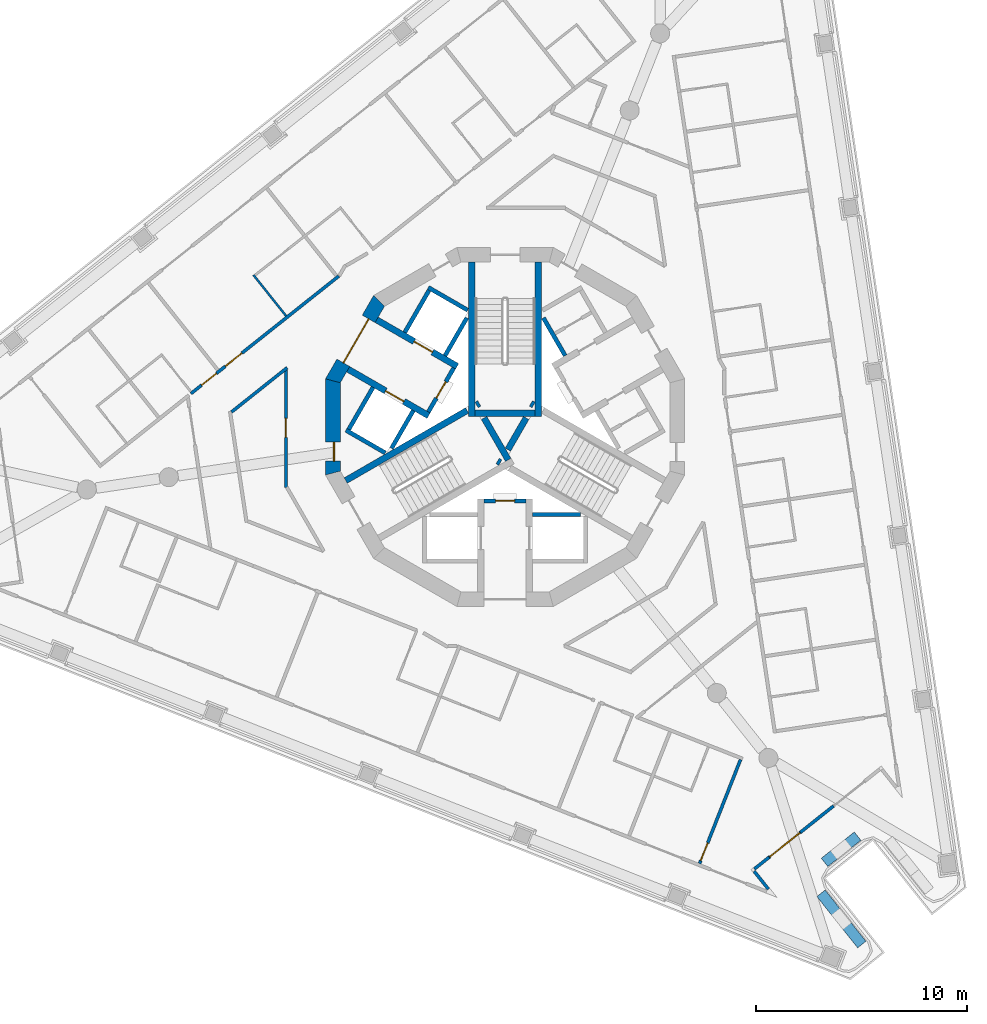
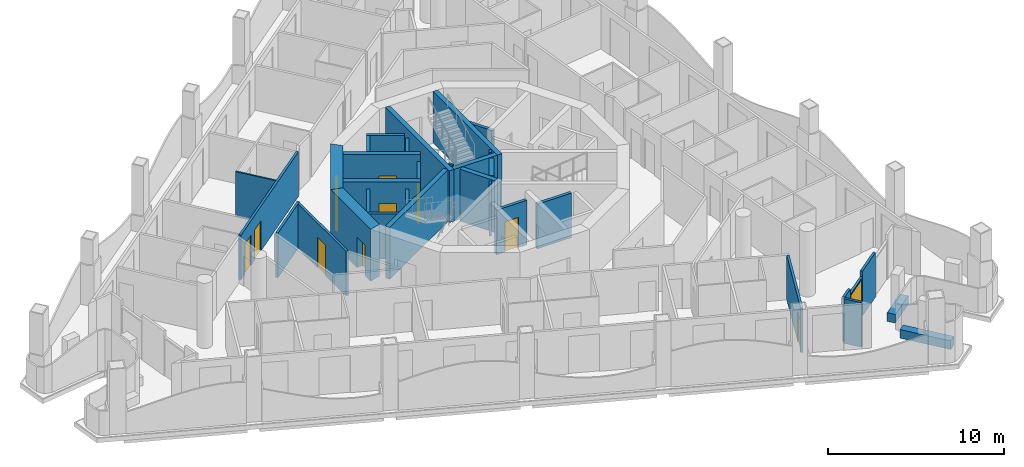
# One storey, part 4 of 16: 34 walls, 11 doors, 11 openings.
"""IFC4 building model written with IfcOpenShell, lengths in metres."""

from ifc_helpers import new_model, si_unit, direction, frame, frame_2d, origin, place, context, subcontext, project, spatial, polyline, rectangle, outline, extrude, material, layer, layer_set, type_object, element, fill, save


model = new_model("IFC4")

# Units and contexts
model_context = context("Model", 3, precision=1e-05, world=origin(), true_north=direction((0.0, 1.0)))
body_context = subcontext(model_context, "Body", "Model", "MODEL_VIEW")
ifc_project = project(units=[si_unit("LENGTHUNIT", "METRE"), si_unit("AREAUNIT", "SQUARE_METRE"), si_unit("VOLUMEUNIT", "CUBIC_METRE"), si_unit("PLANEANGLEUNIT", "RADIAN"), si_unit("MASSUNIT", "GRAM", prefix="KILO")], contexts=[model_context])

# Site, building, storey
site_placement = place(None, origin())
site = spatial("IfcSite", under=ifc_project, at=site_placement, CompositionType="ELEMENT")
building_placement = place(site_placement, origin())
building = spatial("IfcBuilding", under=site, at=building_placement, Name="Trine Commons Tower", CompositionType="ELEMENT")
storey_placement = place(building_placement, frame((0.0, 0.0, 226.800048828125)))
storey = spatial("IfcBuildingStorey", under=building, at=storey_placement, Name="L59", CompositionType="ELEMENT", Elevation=226.800048828125)

# Wall
ifc_material_1 = material(Name="Aluminium-framed insulated wall panel", Category="aluminium")
ifc_layer_1 = layer(ifc_material_1, 0.14990234375)
ifc_layer_set_1 = layer_set([ifc_layer_1], Name="Aluminium-framed insulated wall panel")
wall_type_1 = type_object("IfcWallType", Name="Glazed frame wall 150, EI 60", PredefinedType="SOLIDWALL", material=ifc_layer_set_1)
wall_1_placement = place(storey_placement, frame((95.546142578125, 44.562255859375, 0.0), z_axis=(0.0, 0.0, 1.0), x_axis=(-0.782580779818, -0.622549052733, 0.0)))
element("IfcWall", 1, at=wall_1_placement, inside=storey, type_object=wall_type_1, Name="Glazed frame wall P2.3", PredefinedType="SOLIDWALL", context=body_context, shape_type="SweptSolid", body=[
    extrude(outline(polyline([(0.0, -0.074951171875), (2.0, -0.074951171875), (2.0, 0.074951171875), (0.0, 0.074951171875), (0.0, -0.074951171875)])), origin(), (0.0, 0.0, 1.0), 3.099853515625),
])

# Wall, opening, door
wall_2_placement = place(storey_placement, frame((93.98095703125, 43.317138671875, 0.0), z_axis=(0.0, 0.0, 1.0), x_axis=(-0.782670764896, -0.622435919415, 0.0)))
wall_2 = element("IfcWall", 2, at=wall_2_placement, inside=storey, type_object=wall_type_1, Name="Glazed frame wall P2.4", PredefinedType="SOLIDWALL", context=body_context, shape_type="SweptSolid", body=[
    extrude(outline(polyline([(0.0, -0.074951171875), (1.89990234375, -0.074951171875), (1.89990234375, 0.074951171875), (0.0, 0.074951171875), (0.0, -0.074951171875)])), origin(), (0.0, 0.0, 1.0), 2.699951171875),
])
opening_1_placement = place(wall_2_placement, frame((0.050048828125, 0.0, 0.0)))
opening_1 = element("IfcOpeningElement", 3, at=opening_1_placement, cuts=wall_2, Name="Opening BD-6P2-02", PredefinedType="OPENING", context=body_context, shape_type="SweptSolid", body=[
    extrude(rectangle(XDim=1.800048828125, YDim=2.60009765625, at=frame_2d((0.89990234375, 1.300048828125))), frame((0.0, 0.0849609375, 0.0), z_axis=(0.0, -1.0, 0.0), x_axis=(1.0, 0.0, 0.0)), (0.0, 0.0, 1.0), 0.169921875),
])
ifc_material_2 = material(Name="Anodised aluminium frame with double glazing", Category="aluminium")
door_type_1 = type_object("IfcDoorType", Name="Sliding loggia door 1800x2600", OperationType="SLIDING_TO_LEFT", PredefinedType="DOOR", material=ifc_material_2)
door_1_placement = place(opening_1_placement, origin())
door_1 = element("IfcDoor", 4, at=door_1_placement, inside=storey, type_object=door_type_1, Name="Loggia door P2 2", OperationType="SLIDING_TO_LEFT", OverallHeight=2.60009765625, OverallWidth=1.800048828125, PredefinedType="DOOR", context=body_context, shape_type="SweptSolid", body=[
    extrude(rectangle(XDim=1.800048828125, YDim=2.60009765625, at=frame_2d((0.89990234375, 1.300048828125))), frame((0.0, 0.02490234375, 0.0), z_axis=(0.0, -1.0, 0.0), x_axis=(1.0, 0.0, 0.0)), (0.0, 0.0, 1.0), 0.050048828125),
])
fill(opening_1, door_1)

# Walls
wall_3_placement = place(storey_placement, frame((92.493896484375, 42.134521484375, 0.0), z_axis=(0.0, 0.0, 1.0), x_axis=(-0.782628082779, -0.622489585492, 0.0)))
element("IfcWall", 5, at=wall_3_placement, inside=storey, type_object=wall_type_1, Name="Glazed frame wall P2.5", PredefinedType="SOLIDWALL", context=body_context, shape_type="SweptSolid", body=[
    extrude(outline(polyline([(0.889892578125, 0.074951171875), (0.0, 0.074951171875), (0.0, -0.074951171875), (0.889892578125, -0.074951171875), (0.889892578125, 0.074951171875)])), origin(), (0.0, 0.0, 1.0), 3.099853515625),
])
wall_4_placement = place(storey_placement, frame((91.716796875, 41.56103515625, 0.0), z_axis=(0.0, 0.0, 1.0), x_axis=(0.622611995912, -0.7825307039, 0.0)))
element("IfcWall", 6, at=wall_4_placement, inside=storey, type_object=wall_type_1, Name="Glazed frame wall R8", PredefinedType="SOLIDWALL", context=body_context, shape_type="SweptSolid", body=[
    extrude(outline(polyline([(0.110107421875, 0.074951171875), (0.110107421875, -0.074951171875), (1.19580078125, -0.074951171875), (1.19580078125, 0.074951171875), (0.110107421875, 0.074951171875)])), origin(), (0.0, 0.0, 1.0), 3.099853515625),
])

# Wall, opening, door
ifc_material_3 = material(Name="Fire-rated gypsum shaft wall system")
ifc_layer_2 = layer(ifc_material_3, 0.199951171875)
ifc_layer_set_2 = layer_set([ifc_layer_2], Name="Fire-rated gypsum shaft wall system")
wall_type_2 = type_object("IfcWallType", Name="Lobby end wall 200 mm, EI 120", PredefinedType="PARTITIONING", material=ifc_layer_set_2)
wall_5_placement = place(storey_placement, frame((77.569091796875, 65.2890625, 0.0), z_axis=(0.0, 0.0, 1.0), x_axis=(-0.50012165622, -0.865955154139, 0.0)))
wall_5 = element("IfcWall", 7, at=wall_5_placement, inside=storey, type_object=wall_type_2, Name="Lobby end wall L59", PredefinedType="PARTITIONING", context=body_context, shape_type="SweptSolid", body=[
    extrude(rectangle(XDim=2.39990234375, YDim=0.199951171875, at=frame_2d((1.199951171875, 0.0))), origin(), (0.0, 0.0, 1.0), 3.099853515625),
])
opening_2_placement = place(wall_5_placement, frame((0.749755859375, 0.0, 0.0)))
opening_2 = element("IfcOpeningElement", 8, at=opening_2_placement, cuts=wall_5, Name="Opening K15.07", PredefinedType="OPENING", context=body_context, shape_type="SweptSolid", body=[
    extrude(rectangle(XDim=0.89990234375, YDim=2.10009765625, at=frame_2d((0.449951171875, 1.050048828125))), frame((0.0, 0.10986328125, 0.0), z_axis=(0.0, -1.0, 0.0), x_axis=(1.0, 0.0, 0.0)), (0.0, 0.0, 1.0), 0.219970703125),
])
ifc_material_4 = material(Name="Steel door leaf, fire-rated", Category="steel")
door_type_2 = type_object("IfcDoorType", Name="Riser access door, single leaf 900 x 2100, FD60", OperationType="SINGLE_SWING_LEFT", PredefinedType="DOOR", material=ifc_material_4)
door_2_placement = place(opening_2_placement, frame((0.89990234375, 0.0, 0.0), z_axis=(0.0, 0.0, 1.0), x_axis=(-1.0, 0.0, 0.0)))
door_2 = element("IfcDoor", 9, at=door_2_placement, inside=storey, type_object=door_type_2, Name="Riser door, Mechanical riser L59", OperationType="SINGLE_SWING_RIGHT", OverallHeight=2.10009765625, OverallWidth=0.89990234375, PredefinedType="DOOR", context=body_context, shape_type="SweptSolid", body=[
    extrude(rectangle(XDim=0.89990234375, YDim=2.10009765625, at=frame_2d((0.449951171875, 1.050048828125))), frame((0.0, 0.02490234375, 0.0), z_axis=(0.0, -1.0, 0.0), x_axis=(1.0, 0.0, 0.0)), (0.0, 0.0, 1.0), 0.050048828125),
])
fill(opening_2, door_2)

wall_6_placement = place(storey_placement, frame((79.0, 59.0, 0.0), z_axis=(0.0, 0.0, 1.0), x_axis=(1.0, 0.0, 0.0)))
wall_6 = element("IfcWall", 10, at=wall_6_placement, inside=storey, type_object=wall_type_2, Name="Lobby end wall L59", PredefinedType="PARTITIONING", context=body_context, shape_type="SweptSolid", body=[
    extrude(rectangle(XDim=2.0, YDim=0.199951171875, at=frame_2d((1.0, 0.0))), origin(), (0.0, 0.0, 1.0), 3.099853515625),
])
opening_3_placement = place(wall_6_placement, frame((0.550048828125, 0.0, 0.0)))
opening_3 = element("IfcOpeningElement", 11, at=opening_3_placement, cuts=wall_6, Name="Opening K15.09", PredefinedType="OPENING", context=body_context, shape_type="SweptSolid", body=[
    extrude(rectangle(XDim=0.89990234375, YDim=2.10009765625, at=frame_2d((0.449951171875, 1.050048828125))), frame((0.0, 0.10986328125, 0.0), z_axis=(0.0, -1.0, 0.0), x_axis=(1.0, 0.0, 0.0)), (0.0, 0.0, 1.0), 0.219970703125),
])
door_3_placement = place(opening_3_placement, frame((0.89990234375, 0.0, 0.0), z_axis=(0.0, 0.0, 1.0), x_axis=(-1.0, 0.0, 0.0)))
door_3 = element("IfcDoor", 12, at=door_3_placement, inside=storey, type_object=door_type_2, Name="Riser door, Communications riser L59", OperationType="SINGLE_SWING_RIGHT", OverallHeight=2.10009765625, OverallWidth=0.89990234375, PredefinedType="DOOR", context=body_context, shape_type="SweptSolid", body=[
    extrude(rectangle(XDim=0.89990234375, YDim=2.10009765625, at=frame_2d((0.449951171875, 1.050048828125))), frame((0.0, 0.02490234375, 0.0), z_axis=(0.0, -1.0, 0.0), x_axis=(1.0, 0.0, 0.0)), (0.0, 0.0, 1.0), 0.050048828125),
])
fill(opening_3, door_3)

# Walls
ifc_material_5 = material(Name="Planter trough, precast concrete C40/50", Category="concrete")
ifc_layer_3 = layer(ifc_material_5, 0.5)
ifc_layer_set_3 = layer_set([ifc_layer_3], Name="Planter trough, precast concrete C40/50")
wall_type_3 = type_object("IfcWallType", Name="Planter trough 500x600", PredefinedType="PARAPET", material=ifc_layer_set_3)
wall_7_placement = place(storey_placement, frame((96.68212890625, 43.134033203125, 0.0), z_axis=(0.0, 0.0, 1.0), x_axis=(-0.782580779818, -0.622549052733, 0.0)))
element("IfcWall", 13, at=wall_7_placement, inside=storey, type_object=wall_type_3, Name="Planter 8", PredefinedType="PARAPET", context=body_context, shape_type="SweptSolid", body=[
    extrude(rectangle(XDim=2.0, YDim=0.5, at=frame_2d((1.0, 0.0))), origin(), (0.0, 0.0, 1.0), 0.599853515625),
])
wall_8_placement = place(storey_placement, frame((94.950439453125, 40.427490234375, 0.0), z_axis=(0.0, 0.0, 1.0), x_axis=(0.622550971161, -0.782579253691, 0.0)))
element("IfcWall", 14, at=wall_8_placement, inside=storey, type_object=wall_type_3, Name="Planter 9", PredefinedType="PARAPET", context=body_context, shape_type="SweptSolid", body=[
    extrude(rectangle(XDim=3.10009765625, YDim=0.5, at=frame_2d((1.550048828125, 0.0))), origin(), (0.0, 0.0, 1.0), 0.599853515625),
])

# Wall, opening, door
ifc_material_6 = material(Name="Concrete C60/75", Category="concrete")
ifc_layer_4 = layer(ifc_material_6, 0.300048828125)
ifc_layer_set_4 = layer_set([ifc_layer_4], Name="Concrete C60/75")
wall_type_4 = type_object("IfcWallType", Name="RC shear wall 300 mm, C60/75", PredefinedType="SHEAR", material=ifc_layer_set_4)
wall_9_placement = place(storey_placement, frame((76.381103515625, 63.031005859375, 0.0), z_axis=(0.0, 0.0, 1.0), x_axis=(-0.866059941101, 0.499940174841, 0.0)))
wall_9 = element("IfcWall", 15, at=wall_9_placement, inside=storey, type_object=wall_type_4, Name="Core cross wall SWC-01 L59", PredefinedType="SHEAR", context=body_context, shape_type="SweptSolid", body=[
    extrude(rectangle(XDim=4.400390625, YDim=0.300048828125, at=frame_2d((2.2001953125, 0.0))), origin(), (0.0, 0.0, 1.0), 3.599853515625),
])
opening_4_placement = place(wall_9_placement, frame((1.350341796875, 0.0, 0.0)))
opening_4 = element("IfcOpeningElement", 16, at=opening_4_placement, cuts=wall_9, Name="Opening LD7", PredefinedType="OPENING", context=body_context, shape_type="SweptSolid", body=[
    extrude(rectangle(XDim=1.0, YDim=2.10009765625, at=frame_2d((0.5, 1.050048828125))), frame((0.0, 0.159912109375, 0.0), z_axis=(0.0, -1.0, 0.0), x_axis=(1.0, 0.0, 0.0)), (0.0, 0.0, 1.0), 0.320068359375),
])
ifc_material_7 = material(Name="Stainless steel sliding door leaves", Category="steel")
door_type_3 = type_object("IfcDoorType", Name="Lift landing door, centre-opening sliding 1000 x 2100, FD90", OperationType="DOUBLE_DOOR_SLIDING", PredefinedType="DOOR", material=ifc_material_7)
door_4_placement = place(opening_4_placement, origin())
door_4 = element("IfcDoor", 17, at=door_4_placement, inside=storey, type_object=door_type_3, Name="Lift landing door HR3 L59", OperationType="DOUBLE_DOOR_SLIDING", OverallHeight=2.10009765625, OverallWidth=1.0, PredefinedType="DOOR", context=body_context, shape_type="SweptSolid", body=[
    extrude(rectangle(XDim=1.0, YDim=2.10009765625, at=frame_2d((0.5, 1.050048828125))), frame((0.0, 0.02490234375, 0.0), z_axis=(0.0, -1.0, 0.0), x_axis=(1.0, 0.0, 0.0)), (0.0, 0.0, 1.0), 0.050048828125),
])
fill(opening_4, door_4)

wall_10_placement = place(storey_placement, frame((77.73095703125, 65.368896484375, 0.0), z_axis=(0.0, 0.0, 1.0), x_axis=(-0.866035918664, 0.499981787252, 0.0)))
wall_10 = element("IfcWall", 18, at=wall_10_placement, inside=storey, type_object=wall_type_4, Name="Core cross wall SWC-02 L59", PredefinedType="SHEAR", context=body_context, shape_type="SweptSolid", body=[
    extrude(rectangle(XDim=4.400634765625, YDim=0.300048828125, at=frame_2d((2.2001953125, 0.0))), origin(), (0.0, 0.0, 1.0), 3.599853515625),
])
opening_5_placement = place(wall_10_placement, frame((1.3505859375, 0.0, 0.0)))
opening_5 = element("IfcOpeningElement", 19, at=opening_5_placement, cuts=wall_10, Name="Opening LD8", PredefinedType="OPENING", context=body_context, shape_type="SweptSolid", body=[
    extrude(rectangle(XDim=1.0, YDim=2.10009765625, at=frame_2d((0.5, 1.050048828125))), frame((0.0, 0.159912109375, 0.0), z_axis=(0.0, -1.0, 0.0), x_axis=(1.0, 0.0, 0.0)), (0.0, 0.0, 1.0), 0.320068359375),
])
door_5_placement = place(opening_5_placement, origin())
door_5 = element("IfcDoor", 20, at=door_5_placement, inside=storey, type_object=door_type_3, Name="Lift landing door HR4 L59", OperationType="DOUBLE_DOOR_SLIDING", OverallHeight=2.10009765625, OverallWidth=1.0, PredefinedType="DOOR", context=body_context, shape_type="SweptSolid", body=[
    extrude(rectangle(XDim=1.0, YDim=2.10009765625, at=frame_2d((0.5, 1.050048828125))), frame((0.0, 0.02490234375, 0.0), z_axis=(0.0, -1.0, 0.0), x_axis=(1.0, 0.0, 0.0)), (0.0, 0.0, 1.0), 0.050048828125),
])
fill(opening_5, door_5)

# Walls
wall_11_placement = place(storey_placement, frame((78.199951171875, 63.280029296875, 0.0), z_axis=(0.0, 0.0, 1.0), x_axis=(-0.866009627307, -0.500027324665, 0.0)))
element("IfcWall", 21, at=wall_11_placement, inside=storey, type_object=wall_type_4, Name="Core cross wall SWC-07 L59", PredefinedType="SHEAR", context=body_context, shape_type="SweptSolid", body=[
    extrude(rectangle(XDim=6.631591796875, YDim=0.300048828125, at=frame_2d((3.31591796875, 0.0))), origin(), (0.0, 0.0, 1.0), 3.599853515625),
])
wall_12_placement = place(storey_placement, frame((78.425048828125, 63.0009765625, 0.0), z_axis=(0.0, 0.0, 1.0), x_axis=(0.0, 1.0, 0.0)))
element("IfcWall", 22, at=wall_12_placement, inside=storey, type_object=wall_type_4, Name="Core cross wall SWC-08 L59", PredefinedType="SHEAR", context=body_context, shape_type="SweptSolid", body=[
    extrude(rectangle(XDim=7.299072265625, YDim=0.300048828125, at=frame_2d((3.6494140625, 0.0))), origin(), (0.0, 0.0, 1.0), 3.599853515625),
])
wall_13_placement = place(storey_placement, frame((78.779052734375, 63.614013671875, 0.0), z_axis=(0.0, 0.0, 1.0), x_axis=(-0.867737973955, -0.497021939713, 0.0)))
element("IfcWall", 23, at=wall_13_placement, inside=storey, type_object=wall_type_4, Name="Core cross wall SWC-09 L59", PredefinedType="SHEAR", context=body_context, shape_type="SweptSolid", body=[
    extrude(rectangle(XDim=0.14892578125, YDim=0.300048828125, at=frame_2d((0.074462890625, 0.0))), origin(), (0.0, 0.0, 1.0), 3.599853515625),
])
wall_14_placement = place(storey_placement, frame((79.0029296875, 62.926025390625, 0.0), z_axis=(0.0, 0.0, 1.0), x_axis=(0.499965247104, -0.866045467449, 0.0)))
element("IfcWall", 24, at=wall_14_placement, inside=storey, type_object=wall_type_4, Name="Core cross wall SWC-10 L59", PredefinedType="SHEAR", context=body_context, shape_type="SweptSolid", body=[
    extrude(rectangle(XDim=2.292236328125, YDim=0.300048828125, at=frame_2d((1.14599609375, 0.0))), origin(), (0.0, 0.0, 1.0), 3.599853515625),
])
wall_15_placement = place(storey_placement, frame((79.64599609375, 60.885986328125, 0.0), z_axis=(0.0, 0.0, 1.0), x_axis=(0.867331893649, -0.497730234424, 0.0)))
element("IfcWall", 25, at=wall_15_placement, inside=storey, type_object=wall_type_4, Name="Core cross wall SWC-11 L59", PredefinedType="SHEAR", context=body_context, shape_type="SweptSolid", body=[
    extrude(rectangle(XDim=0.148681640625, YDim=0.300048828125, at=frame_2d((0.07421875, 0.0))), origin(), (0.0, 0.0, 1.0), 3.599853515625),
])
wall_16_placement = place(storey_placement, frame((80.1298828125, 61.424072265625, 0.0), z_axis=(0.0, 0.0, 1.0), x_axis=(0.500014901547, 0.866016800201, 0.0)))
element("IfcWall", 26, at=wall_16_placement, inside=storey, type_object=wall_type_4, Name="Core cross wall SWC-12 L59", PredefinedType="SHEAR", context=body_context, shape_type="SweptSolid", body=[
    extrude(rectangle(XDim=1.734375, YDim=0.300048828125, at=frame_2d((0.8671875, 0.0))), origin(), (0.0, 0.0, 1.0), 3.599853515625),
])
wall_17_placement = place(storey_placement, frame((81.220947265625, 63.614013671875, 0.0), z_axis=(0.0, 0.0, 1.0), x_axis=(0.867737973955, -0.497021939713, 0.0)))
element("IfcWall", 27, at=wall_17_placement, inside=storey, type_object=wall_type_4, Name="Core cross wall SWC-15 L59", PredefinedType="SHEAR", context=body_context, shape_type="SweptSolid", body=[
    extrude(rectangle(XDim=0.14892578125, YDim=0.300048828125, at=frame_2d((0.074462890625, 0.0))), origin(), (0.0, 0.0, 1.0), 3.599853515625),
])
wall_18_placement = place(storey_placement, frame((81.425048828125, 63.15087890625, 0.0), z_axis=(0.0, 0.0, 1.0), x_axis=(-1.0, 0.0, 0.0)))
element("IfcWall", 28, at=wall_18_placement, inside=storey, type_object=wall_type_4, Name="Core cross wall SWC-16 L59", PredefinedType="SHEAR", context=body_context, shape_type="SweptSolid", body=[
    extrude(rectangle(XDim=2.85009765625, YDim=0.300048828125, at=frame_2d((1.425048828125, 0.0))), origin(), (0.0, 0.0, 1.0), 3.599853515625),
])
wall_19_placement = place(storey_placement, frame((81.574951171875, 63.0009765625, 0.0), z_axis=(0.0, 0.0, 1.0), x_axis=(0.0, 1.0, 0.0)))
element("IfcWall", 29, at=wall_19_placement, inside=storey, type_object=wall_type_4, Name="Core cross wall SWC-17 L59", PredefinedType="SHEAR", context=body_context, shape_type="SweptSolid", body=[
    extrude(rectangle(XDim=7.299072265625, YDim=0.300048828125, at=frame_2d((3.6494140625, 0.0))), origin(), (0.0, 0.0, 1.0), 3.599853515625),
])

# Wall, opening, door
ifc_layer_5 = layer(ifc_material_6, 0.699951171875)
ifc_layer_set_5 = layer_set([ifc_layer_5], Name="Concrete C60/75")
wall_type_5 = type_object("IfcWallType", Name="RC shear wall 700 mm, C60/75", PredefinedType="SHEAR", material=ifc_layer_set_5)
wall_20_placement = place(storey_placement, frame((74.08056640625, 68.547607421875, 0.0), z_axis=(0.0, 0.0, 1.0), x_axis=(-0.499983800959, -0.866034756103, 0.0)))
wall_20 = element("IfcWall", 30, at=wall_20_placement, inside=storey, type_object=wall_type_5, Name="Core wall CWF-06 L59", PredefinedType="SHEAR", context=body_context, shape_type="SweptSolid", body=[
    extrude(outline(polyline([(0.0, -0.35009765625), (4.55517578125, -0.35009765625), (4.36767578125, 0.35009765625), (0.1875, 0.35009765625), (0.0, -0.35009765625)])), origin(), (0.0, 0.0, 1.0), 3.599853515625),
])
opening_6_placement = place(wall_20_placement, frame((1.077392578125, 0.0, 0.0)))
opening_6 = element("IfcOpeningElement", 31, at=opening_6_placement, cuts=wall_20, Name="Opening K15.06", PredefinedType="OPENING", context=body_context, shape_type="SweptSolid", body=[
    extrude(rectangle(XDim=2.39990234375, YDim=2.10009765625, at=frame_2d((1.199951171875, 1.050048828125))), frame((0.0, 0.35986328125, 0.0), z_axis=(0.0, -1.0, 0.0), x_axis=(1.0, 0.0, 0.0)), (0.0, 0.0, 1.0), 0.719970703125),
])
ifc_material_8 = material(Name="Steel door leaves, fire-rated", Category="steel")
door_type_4 = type_object("IfcDoorType", Name="Lobby door, double leaf 2400 x 2100, FD60", OperationType="DOUBLE_DOOR_SINGLE_SWING", PredefinedType="DOOR", material=ifc_material_8)
door_6_placement = place(opening_6_placement, origin())
door_6 = element("IfcDoor", 32, at=door_6_placement, inside=storey, type_object=door_type_4, Name="Lobby door, Passenger lift lobby B L59", OperationType="DOUBLE_DOOR_SINGLE_SWING", OverallHeight=2.10009765625, OverallWidth=2.39990234375, PredefinedType="DOOR", context=body_context, shape_type="SweptSolid", body=[
    extrude(rectangle(XDim=2.39990234375, YDim=2.10009765625, at=frame_2d((1.199951171875, 1.050048828125))), frame((0.0, 0.02490234375, 0.0), z_axis=(0.0, -1.0, 0.0), x_axis=(1.0, 0.0, 0.0)), (0.0, 0.0, 1.0), 0.050048828125),
])
fill(opening_6, door_6)

wall_21_placement = place(storey_placement, frame((71.849853515625, 64.777587890625, 0.0), z_axis=(0.0, 0.0, 1.0), x_axis=(0.0, -1.0, 0.0)))
wall_21 = element("IfcWall", 33, at=wall_21_placement, inside=storey, type_object=wall_type_5, Name="Core wall CWF-07 L59", PredefinedType="SHEAR", context=body_context, shape_type="SweptSolid", body=[
    extrude(outline(polyline([(0.0, -0.35009765625), (4.55517578125, -0.35009765625), (4.36767578125, 0.35009765625), (0.1875, 0.35009765625), (0.0, -0.35009765625)])), origin(), (0.0, 0.0, 1.0), 3.599853515625),
])
opening_7_placement = place(wall_21_placement, frame((2.99169921875, 0.0, 0.0)))
opening_7 = element("IfcOpeningElement", 34, at=opening_7_placement, cuts=wall_21, Name="Opening K15.16", PredefinedType="OPENING", context=body_context, shape_type="SweptSolid", body=[
    extrude(rectangle(XDim=0.89990234375, YDim=2.10009765625, at=frame_2d((0.449951171875, 1.050048828125))), frame((0.0, 0.35986328125, 0.0), z_axis=(0.0, -1.0, 0.0), x_axis=(1.0, 0.0, 0.0)), (0.0, 0.0, 1.0), 0.719970703125),
])
door_type_5 = type_object("IfcDoorType", Name="Core room door, single leaf 900 x 2100, FD30S", OperationType="SINGLE_SWING_LEFT", PredefinedType="DOOR", material=ifc_material_4)
door_7_placement = place(opening_7_placement, origin())
door_7 = element("IfcDoor", 35, at=door_7_placement, inside=storey, type_object=door_type_5, Name="Door to Pantry L59", OperationType="SINGLE_SWING_RIGHT", OverallHeight=2.10009765625, OverallWidth=0.89990234375, PredefinedType="DOOR", context=body_context, shape_type="SweptSolid", body=[
    extrude(rectangle(XDim=0.89990234375, YDim=2.10009765625, at=frame_2d((0.449951171875, 1.050048828125))), frame((0.0, 0.0751953125, 0.0), z_axis=(0.0, -1.0, 0.0), x_axis=(1.0, 0.0, 0.0)), (0.0, 0.0, 1.0), 0.050048828125),
])
fill(opening_7, door_7)

# Walls
ifc_layer_6 = layer(ifc_material_3, 0.199951171875)
ifc_layer_set_6 = layer_set([ifc_layer_6], Name="Fire-rated gypsum shaft wall system")
wall_type_6 = type_object("IfcWallType", Name="Shaft wall 200 mm, EI 120", PredefinedType="PARTITIONING", material=ifc_layer_set_6)
wall_22_placement = place(storey_placement, frame((73.7509765625, 64.3759765625, 0.0), z_axis=(0.0, 0.0, 1.0), x_axis=(-0.500136062276, -0.86594683394, 0.0)))
element("IfcWall", 36, at=wall_22_placement, inside=storey, type_object=wall_type_6, Name="Shaft wall L59", PredefinedType="PARTITIONING", context=body_context, shape_type="SweptSolid", body=[
    extrude(rectangle(XDim=2.299072265625, YDim=0.199951171875, at=frame_2d((1.1494140625, 0.0))), origin(), (0.0, 0.0, 1.0), 3.099853515625),
])
wall_23_placement = place(storey_placement, frame((74.324951171875, 61.27392578125, 0.0), z_axis=(0.0, 0.0, 1.0), x_axis=(-0.866102336459, 0.499866725018, 0.0)))
element("IfcWall", 37, at=wall_23_placement, inside=storey, type_object=wall_type_6, Name="Shaft wall L59", PredefinedType="PARTITIONING", context=body_context, shape_type="SweptSolid", body=[
    extrude(rectangle(XDim=2.1484375, YDim=0.199951171875, at=frame_2d((1.07421875, 0.0))), origin(), (0.0, 0.0, 1.0), 3.099853515625),
])
wall_24_placement = place(storey_placement, frame((75.2509765625, 66.97412109375, 0.0), z_axis=(0.0, 0.0, 1.0), x_axis=(0.500136062276, 0.86594683394, 0.0)))
element("IfcWall", 38, at=wall_24_placement, inside=storey, type_object=wall_type_6, Name="Shaft wall L59", PredefinedType="PARTITIONING", context=body_context, shape_type="SweptSolid", body=[
    extrude(rectangle(XDim=2.299072265625, YDim=0.199951171875, at=frame_2d((1.1494140625, 0.0))), origin(), (0.0, 0.0, 1.0), 3.099853515625),
])
wall_25_placement = place(storey_placement, frame((75.656005859375, 63.27587890625, 0.0), z_axis=(0.0, 0.0, 1.0), x_axis=(-0.500271688072, -0.86586848777, 0.0)))
element("IfcWall", 39, at=wall_25_placement, inside=storey, type_object=wall_type_6, Name="Shaft wall L59", PredefinedType="PARTITIONING", context=body_context, shape_type="SweptSolid", body=[
    extrude(rectangle(XDim=2.064697265625, YDim=0.199951171875, at=frame_2d((1.0322265625, 0.0))), origin(), (0.0, 0.0, 1.0), 3.099853515625),
])
wall_26_placement = place(storey_placement, frame((77.156005859375, 65.8740234375, 0.0), z_axis=(0.0, 0.0, 1.0), x_axis=(0.499865770674, 0.866102887253, 0.0)))
element("IfcWall", 40, at=wall_26_placement, inside=storey, type_object=wall_type_6, Name="Shaft wall L59", PredefinedType="PARTITIONING", context=body_context, shape_type="SweptSolid", body=[
    extrude(rectangle(XDim=2.064453125, YDim=0.199951171875, at=frame_2d((1.0322265625, 0.0))), origin(), (0.0, 0.0, 1.0), 3.099853515625),
])
wall_27_placement = place(storey_placement, frame((78.22509765625, 68.028076171875, 0.0), z_axis=(0.0, 0.0, 1.0), x_axis=(-0.866130725101, 0.499817533742, 0.0)))
element("IfcWall", 41, at=wall_27_placement, inside=storey, type_object=wall_type_6, Name="Shaft wall L59", PredefinedType="PARTITIONING", context=body_context, shape_type="SweptSolid", body=[
    extrude(rectangle(XDim=2.148681640625, YDim=0.199951171875, at=frame_2d((1.07421875, 0.0))), origin(), (0.0, 0.0, 1.0), 3.099853515625),
])
wall_28_placement = place(storey_placement, frame((81.300048828125, 58.35009765625, 0.0), z_axis=(0.0, 0.0, 1.0), x_axis=(1.0, 0.0, 0.0)))
element("IfcWall", 42, at=wall_28_placement, inside=storey, type_object=wall_type_6, Name="Shaft wall L59", PredefinedType="PARTITIONING", context=body_context, shape_type="SweptSolid", body=[
    extrude(rectangle(XDim=2.264892578125, YDim=0.199951171875, at=frame_2d((1.13232421875, 0.0))), origin(), (0.0, 0.0, 1.0), 3.099853515625),
])
wall_29_placement = place(storey_placement, frame((82.843994140625, 65.8740234375, 0.0), z_axis=(0.0, 0.0, 1.0), x_axis=(-0.499865770674, 0.866102887253, 0.0)))
element("IfcWall", 43, at=wall_29_placement, inside=storey, type_object=wall_type_6, Name="Shaft wall L59", PredefinedType="PARTITIONING", context=body_context, shape_type="SweptSolid", body=[
    extrude(rectangle(XDim=2.064453125, YDim=0.199951171875, at=frame_2d((1.0322265625, 0.0))), origin(), (0.0, 0.0, 1.0), 3.099853515625),
])

# Wall, openings, doors
ifc_material_9 = material(Name="Gypsum plasterboard on steel stud", Category="steel")
ifc_layer_7 = layer(ifc_material_9, 0.14990234375)
ifc_layer_set_7 = layer_set([ifc_layer_7], Name="Gypsum plasterboard on steel stud")
wall_type_7 = type_object("IfcWallType", Name="Unit and corridor wall 150 mm, EI 60", PredefinedType="PARTITIONING", material=ifc_layer_set_7)
wall_30_placement = place(storey_placement, frame((65.130859375, 64.077880859375, 0.0), z_axis=(0.0, 0.0, 1.0), x_axis=(0.782802105688, 0.622270731539, 0.0)))
wall_30 = element("IfcWall", 44, at=wall_30_placement, inside=storey, type_object=wall_type_7, Name="Partition 018", PredefinedType="PARTITIONING", context=body_context, shape_type="SweptSolid", body=[
    extrude(rectangle(XDim=8.939453125, YDim=0.14990234375, at=frame_2d((4.4697265625, 0.0))), origin(), (0.0, 0.0, 1.0), 3.099853515625),
])
opening_8_placement = place(wall_30_placement, frame((0.63916015625, 0.0, 0.0)))
opening_8 = element("IfcOpeningElement", 45, at=opening_8_placement, cuts=wall_30, Name="Opening D-6C06", PredefinedType="OPENING", context=body_context, shape_type="SweptSolid", body=[
    extrude(rectangle(XDim=0.89990234375, YDim=2.10009765625, at=frame_2d((0.449951171875, 1.050048828125))), frame((0.0, 0.0849609375, 0.0), z_axis=(0.0, -1.0, 0.0), x_axis=(1.0, 0.0, 0.0)), (0.0, 0.0, 1.0), 0.169921875),
])
opening_9_placement = place(wall_30_placement, frame((2.081787109375, 0.0, 0.0)))
opening_9 = element("IfcOpeningElement", 46, at=opening_9_placement, cuts=wall_30, Name="Opening D-6C07", PredefinedType="OPENING", context=body_context, shape_type="SweptSolid", body=[
    extrude(rectangle(XDim=1.0, YDim=2.10009765625, at=frame_2d((0.5, 1.050048828125))), frame((0.0, 0.0849609375, 0.0), z_axis=(0.0, -1.0, 0.0), x_axis=(1.0, 0.0, 0.0)), (0.0, 0.0, 1.0), 0.169921875),
])
ifc_material_10 = material(Name="Timber fire door set", Category="wood")
door_type_6 = type_object("IfcDoorType", Name="Bedroom door 1000 x 2100, FD30S", OperationType="NOTDEFINED", PredefinedType="DOOR", material=ifc_material_10)
door_8_placement = place(opening_9_placement, origin())
door_8 = element("IfcDoor", 47, at=door_8_placement, inside=storey, type_object=door_type_6, Name="Door D-6C07", OperationType="SINGLE_SWING_LEFT", OverallHeight=2.10009765625, OverallWidth=1.0, PredefinedType="DOOR", context=body_context, shape_type="SweptSolid", body=[
    extrude(rectangle(XDim=1.0, YDim=2.10009765625, at=frame_2d((0.5, 1.050048828125))), frame((0.0, 0.02490234375, 0.0), z_axis=(0.0, -1.0, 0.0), x_axis=(1.0, 0.0, 0.0)), (0.0, 0.0, 1.0), 0.050048828125),
])
fill(opening_9, door_8)
door_type_7 = type_object("IfcDoorType", Name="Bedroom door 900 x 2100, FD30S", OperationType="NOTDEFINED", PredefinedType="DOOR", material=ifc_material_10)
door_9_placement = place(opening_8_placement, origin())
door_9 = element("IfcDoor", 48, at=door_9_placement, inside=storey, type_object=door_type_7, Name="Door D-6C06", OperationType="SINGLE_SWING_LEFT", OverallHeight=2.10009765625, OverallWidth=0.89990234375, PredefinedType="DOOR", context=body_context, shape_type="SweptSolid", body=[
    extrude(rectangle(XDim=0.89990234375, YDim=2.10009765625, at=frame_2d((0.449951171875, 1.050048828125))), frame((0.0, 0.02490234375, 0.0), z_axis=(0.0, -1.0, 0.0), x_axis=(1.0, 0.0, 0.0)), (0.0, 0.0, 1.0), 0.050048828125),
])
fill(opening_8, door_9)

# Wall
wall_31_placement = place(storey_placement, frame((67.0498046875, 63.206787109375, 0.0), z_axis=(0.0, 0.0, 1.0), x_axis=(0.782472540885, 0.622685091166, 0.0)))
element("IfcWall", 49, at=wall_31_placement, inside=storey, type_object=wall_type_7, Name="Partition 023", PredefinedType="PARTITIONING", context=body_context, shape_type="SweptSolid", body=[
    extrude(rectangle(XDim=3.365966796875, YDim=0.14990234375, at=frame_2d((1.68310546875, 0.0))), origin(), (0.0, 0.0, 1.0), 3.099853515625),
])

# Wall, opening, door
wall_32_placement = place(storey_placement, frame((69.625, 59.64501953125, 0.0), z_axis=(0.0, 0.0, 1.0), x_axis=(0.0, 1.0, 0.0)))
wall_32 = element("IfcWall", 50, at=wall_32_placement, inside=storey, type_object=wall_type_7, Name="Partition 031", PredefinedType="PARTITIONING", context=body_context, shape_type="SweptSolid", body=[
    extrude(rectangle(XDim=5.5400390625, YDim=0.14990234375, at=frame_2d((2.77001953125, 0.0))), origin(), (0.0, 0.0, 1.0), 3.099853515625),
])
opening_10_placement = place(wall_32_placement, frame((2.357421875, 0.0, 0.0)))
opening_10 = element("IfcOpeningElement", 51, at=opening_10_placement, cuts=wall_32, Name="Opening D-6C28", PredefinedType="OPENING", context=body_context, shape_type="SweptSolid", body=[
    extrude(rectangle(XDim=0.89990234375, YDim=2.10009765625, at=frame_2d((0.449951171875, 1.050048828125))), frame((0.0, 0.0849609375, 0.0), z_axis=(0.0, -1.0, 0.0), x_axis=(1.0, 0.0, 0.0)), (0.0, 0.0, 1.0), 0.169921875),
])
door_type_8 = type_object("IfcDoorType", Name="Service door 900 x 2100, FD30S", OperationType="NOTDEFINED", PredefinedType="DOOR", material=ifc_material_10)
door_10_placement = place(opening_10_placement, origin())
door_10 = element("IfcDoor", 52, at=door_10_placement, inside=storey, type_object=door_type_8, Name="Door D-6C28", OperationType="SINGLE_SWING_RIGHT", OverallHeight=2.10009765625, OverallWidth=0.89990234375, PredefinedType="DOOR", context=body_context, shape_type="SweptSolid", body=[
    extrude(rectangle(XDim=0.89990234375, YDim=2.10009765625, at=frame_2d((0.449951171875, 1.050048828125))), frame((0.0, 0.02490234375, 0.0), z_axis=(0.0, -1.0, 0.0), x_axis=(1.0, 0.0, 0.0)), (0.0, 0.0, 1.0), 0.050048828125),
])
fill(opening_10, door_10)

wall_33_placement = place(storey_placement, frame((89.20458984375, 41.838134765625, 0.0), z_axis=(0.0, 0.0, 1.0), x_axis=(0.366526942071, 0.930407438027, 0.0)))
wall_33 = element("IfcWall", 53, at=wall_33_placement, inside=storey, type_object=wall_type_7, Name="Partition 093", PredefinedType="PARTITIONING", context=body_context, shape_type="SweptSolid", body=[
    extrude(rectangle(XDim=5.28466796875, YDim=0.14990234375, at=frame_2d((2.642333984375, 0.0))), origin(), (0.0, 0.0, 1.0), 3.099853515625),
])
opening_11_placement = place(wall_33_placement, frame((0.14990234375, 0.0, 0.0)))
opening_11 = element("IfcOpeningElement", 54, at=opening_11_placement, cuts=wall_33, Name="Opening D-6C20", PredefinedType="OPENING", context=body_context, shape_type="SweptSolid", body=[
    extrude(rectangle(XDim=0.89990234375, YDim=2.10009765625, at=frame_2d((0.449951171875, 1.050048828125))), frame((0.0, 0.0849609375, 0.0), z_axis=(0.0, -1.0, 0.0), x_axis=(1.0, 0.0, 0.0)), (0.0, 0.0, 1.0), 0.169921875),
])
door_11_placement = place(opening_11_placement, origin())
door_11 = element("IfcDoor", 55, at=door_11_placement, inside=storey, type_object=door_type_7, Name="Door D-6C20", OperationType="SINGLE_SWING_LEFT", OverallHeight=2.10009765625, OverallWidth=0.89990234375, PredefinedType="DOOR", context=body_context, shape_type="SweptSolid", body=[
    extrude(rectangle(XDim=0.89990234375, YDim=2.10009765625, at=frame_2d((0.449951171875, 1.050048828125))), frame((0.0, 0.02490234375, 0.0), z_axis=(0.0, -1.0, 0.0), x_axis=(1.0, 0.0, 0.0)), (0.0, 0.0, 1.0), 0.050048828125),
])
fill(opening_11, door_11)

# Wall
ifc_layer_8 = layer(ifc_material_9, 0.10009765625)
ifc_layer_set_8 = layer_set([ifc_layer_8], Name="Gypsum plasterboard on steel stud")
wall_type_8 = type_object("IfcWallType", Name="Unit partition 100 mm, no rating", PredefinedType="PARTITIONING", material=ifc_layer_set_8)
wall_34_placement = place(storey_placement, frame((68.091796875, 69.690185546875, 0.0), z_axis=(0.0, 0.0, 1.0), x_axis=(0.622551031967, -0.782579205319, 0.0)))
element("IfcWall", 56, at=wall_34_placement, inside=storey, type_object=wall_type_8, Name="Partition 027", PredefinedType="PARTITIONING", context=body_context, shape_type="SweptSolid", body=[
    extrude(rectangle(XDim=2.474609375, YDim=0.10009765625, at=frame_2d((1.2373046875, 0.0))), origin(), (0.0, 0.0, 1.0), 3.099853515625),
])

save(model, "model.ifc")
